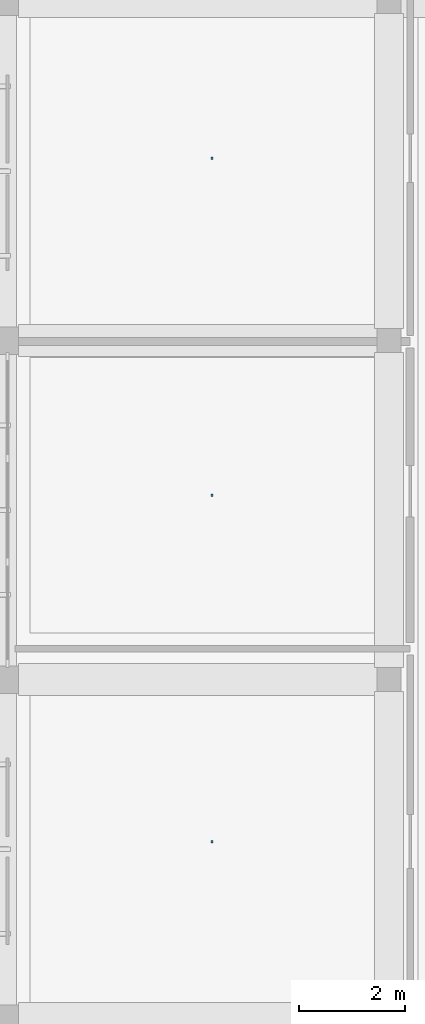
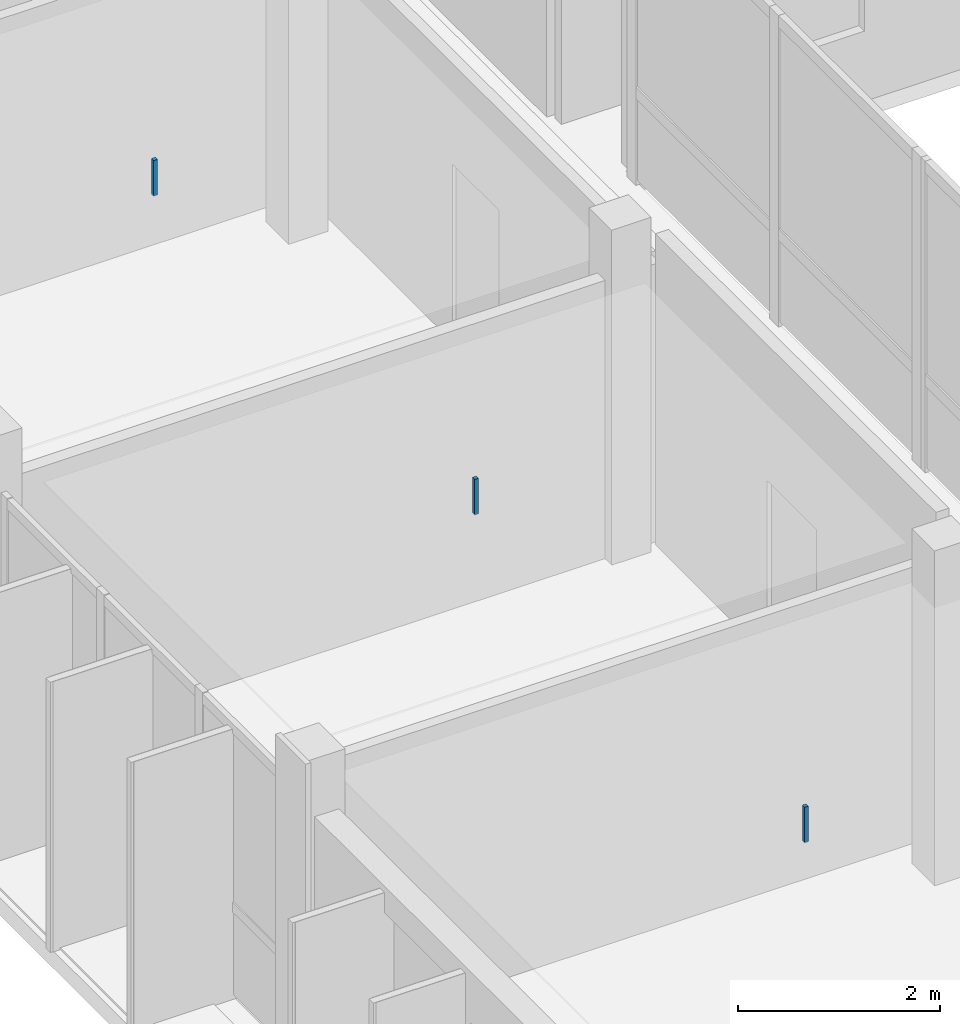
# One storey, part 31 of 48: 3 discrete accessories.
"""IFC4 building model written with IfcOpenShell, lengths in metres."""

from ifc_helpers import new_model, si_unit, derived_unit, direction, frame, origin, origin_2d, place, context, subcontext, project, spatial, rectangle, extrude, material, type_object, element, save


model = new_model("IFC4")

# Units and contexts
model_context = context("Model", 3, precision=1e-05, world=origin(), true_north=direction((0.0, 1.0)))
body_context = subcontext(model_context, "Body", "Model", "MODEL_VIEW")
ifc_project = project(units=[si_unit("LENGTHUNIT", "METRE"), si_unit("AREAUNIT", "SQUARE_METRE"), si_unit("VOLUMEUNIT", "CUBIC_METRE"), si_unit("PLANEANGLEUNIT", "RADIAN"), si_unit("MASSUNIT", "GRAM", prefix="KILO"), derived_unit("THERMALTRANSMITTANCEUNIT", [(si_unit("POWERUNIT", "WATT"), 1), (si_unit("LENGTHUNIT", "METRE"), -2), (si_unit("THERMODYNAMICTEMPERATUREUNIT", "KELVIN"), -1)])], contexts=[model_context])

# Site, building, storey
site_placement = place(None, origin())
site = spatial("IfcSite", under=ifc_project, at=site_placement, CompositionType="ELEMENT")
building_placement = place(site_placement, origin())
building = spatial("IfcBuilding", under=site, at=building_placement, Name="Braskholm Square Health Centre", CompositionType="ELEMENT")
storey_placement = place(building_placement, frame((0.0, 0.0, 17.550048828125)))
storey = spatial("IfcBuildingStorey", under=building, at=storey_placement, Name="L05", CompositionType="ELEMENT", Elevation=17.550048828125)

# Discrete accessories
ifc_material = material(Name="Steel ASTM A500 Grade C", Category="steel")
discrete_accessory_type = type_object("IfcDiscreteAccessoryType", Name="CeilingSuspensionBracket", PredefinedType="BRACKET", material=ifc_material)
for number, where, z_axis, x_axis, name in (
    (1, (8.06005859375, 33.139892578125, 3.35205078125), (0.0, 0.0, 1.0), (1.0, 0.0, 0.0), "Ceiling hanger bracket 0081"),
    (2, (8.06005859375, 39.679931640625, 3.35205078125), (0.0, 0.0, 1.0), (1.0, 0.0, 0.0), "Ceiling hanger bracket 0082"),
    (3, (8.06005859375, 46.0400390625, 3.35205078125), (0.0, 0.0, 1.0), (1.0, 0.0, 0.0), "Ceiling hanger bracket 0083"),
):
    element("IfcDiscreteAccessory", number, at=place(storey_placement, frame(where, z_axis=z_axis, x_axis=x_axis)), inside=storey, type_object=discrete_accessory_type, Name=name, PredefinedType="BRACKET", context=body_context, shape_type="SweptSolid", body=[
        extrude(rectangle(XDim=0.044921875, YDim=0.044921875, at=origin_2d()), origin(), (0.0, 0.0, 1.0), 0.429931640625),
    ])

save(model, "model.ifc")
